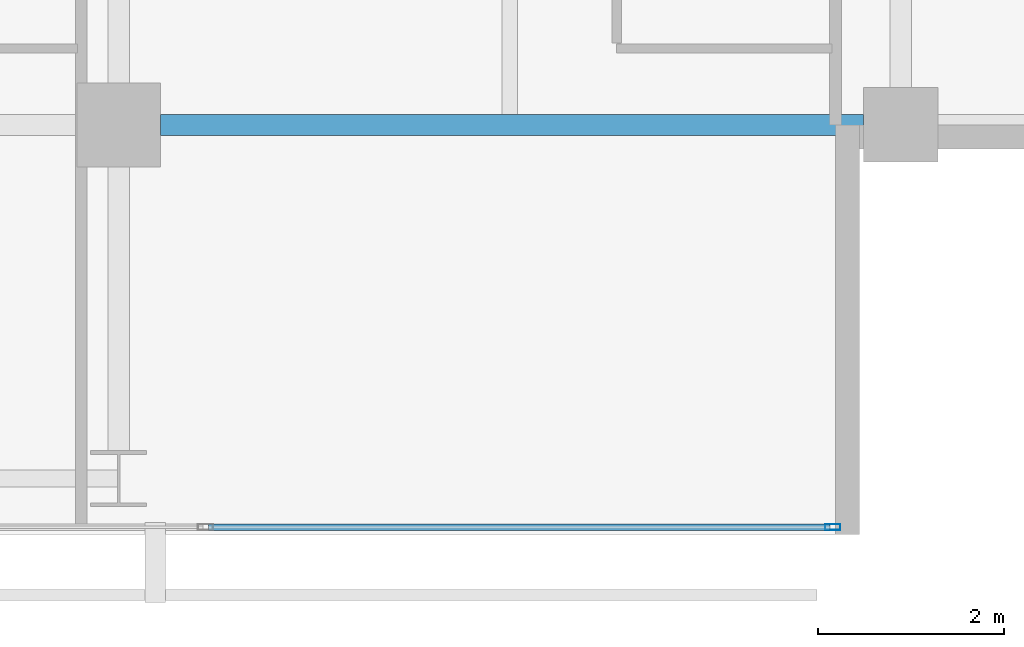
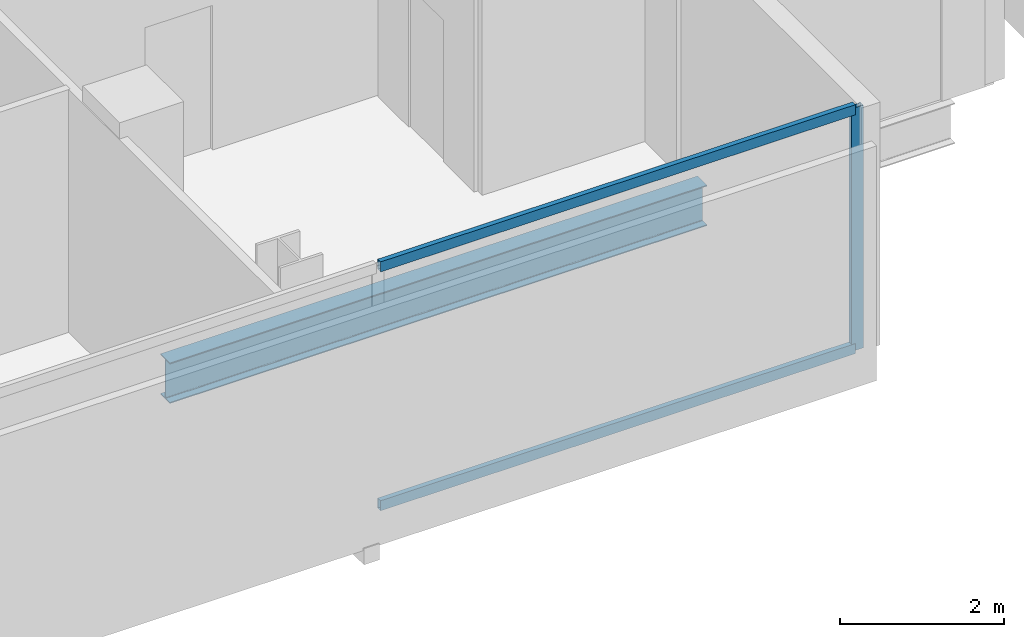
# One storey, part 13 of 34: 3 members, 1 beam, 1 element without a shape of its own.
"""IFC4 building model written with IfcOpenShell, lengths in metres."""

from ifc_helpers import new_model, si_unit, direction, frame, origin, origin_2d, place, context, subcontext, project, spatial, hollow_rectangle, i_section, extrude, material, layer, layer_set, material_profile, profile_set, type_object, element, aggregate, save


model = new_model("IFC4")

# Units and contexts
model_context = context("Model", 3, precision=1e-05, world=origin(), true_north=direction((0.0, 1.0)))
body_context = subcontext(model_context, "Body", "Model", "MODEL_VIEW")
ifc_project = project(units=[si_unit("LENGTHUNIT", "METRE"), si_unit("AREAUNIT", "SQUARE_METRE"), si_unit("VOLUMEUNIT", "CUBIC_METRE"), si_unit("PLANEANGLEUNIT", "RADIAN"), si_unit("MASSUNIT", "GRAM", prefix="KILO")], contexts=[model_context])

# Site, building, storey
site_placement = place(None, origin())
site = spatial("IfcSite", under=ifc_project, at=site_placement, CompositionType="ELEMENT")
building_placement = place(site_placement, origin())
building = spatial("IfcBuilding", under=site, at=building_placement, Name="Maruvema Waterfront Hotel and Observation Tower", CompositionType="ELEMENT")
storey_placement = place(building_placement, frame((0.0, 0.0, 177.449951171875)))
storey = spatial("IfcBuildingStorey", under=building, at=storey_placement, Name="L43", CompositionType="ELEMENT", Elevation=177.449951171875)

# Curtain wall, members
ifc_material_1 = material(Name="Anodised bronze aluminium and solar-control low-E IGU", Category="aluminium")
ifc_layer = layer(ifc_material_1, 0.159912109375, Name="Zone 2 Amber Inner Thermal Curtain Wall System CW-03")
ifc_layer_set = layer_set([ifc_layer], Name="Anodised bronze aluminium and solar-control low-E IGU")
curtain_wall_type = type_object("IfcCurtainWallType", Name="Zone 2 Amber Inner Thermal Curtain Wall System CW-03", PredefinedType="USERDEFINED", material=ifc_layer_set)
curtain_wall_placement = place(storey_placement, origin())
curtain_wall = element("IfcCurtainWall", 1, at=curtain_wall_placement, inside=storey, type_object=curtain_wall_type, Name="L43 Curtain Wall CW-L43-S", ObjectType="UNITISED CURTAIN WALL", PredefinedType="USERDEFINED")
ifc_material_2 = material(Name="Anodised architectural bronze aluminium", Category="aluminium")
ifc_material_profile_1 = material_profile(ifc_material_2, hollow_rectangle(XDim=0.070068359375, YDim=0.14990234375, WallThickness=0.00390625, at=origin_2d()), Name="ALU-T70x150")
ifc_profile_set_1 = profile_set([ifc_material_profile_1], Name="Anodised architectural bronze aluminium")
member_type_1 = type_object("IfcMemberType", Name="Curtain Wall Horizontal Transom ALU-T70x150", PredefinedType="USERDEFINED", material=ifc_profile_set_1)
member_1_placement = place(storey_placement, frame((51.36328125, 4.679931640625, 0.030029296875), z_axis=(1.0, 0.0, 0.0), x_axis=(0.0, 1.0, 0.0)))
member_1 = element("IfcMember", 2, at=member_1_placement, type_object=member_type_1, Name="CW-03 transom 6.1", ObjectType="TRANSOM", PredefinedType="USERDEFINED", context=body_context, shape_type="SweptSolid", body=[
    extrude(hollow_rectangle(XDim=0.070068359375, YDim=0.14990234375, WallThickness=0.00390625, at=origin_2d()), origin(), (0.0, 0.0, 1.0), 6.6767578125),
])
member_2_placement = place(storey_placement, frame((51.36328125, 4.679931640625, 3.580078125), z_axis=(1.0, 0.0, 0.0), x_axis=(0.0, 1.0, 0.0)))
member_2 = element("IfcMember", 3, at=member_2_placement, type_object=member_type_1, Name="CW-03 transom 6.2", ObjectType="TRANSOM", PredefinedType="USERDEFINED", context=body_context, shape_type="SweptSolid", body=[
    extrude(hollow_rectangle(XDim=0.070068359375, YDim=0.14990234375, WallThickness=0.00390625, at=origin_2d()), origin(), (0.0, 0.0, 1.0), 6.6767578125),
])
ifc_material_3 = material(Name="Anodised architectural bronze aluminium", Category="aluminium")
ifc_material_profile_2 = material_profile(ifc_material_3, hollow_rectangle(XDim=0.06494140625, YDim=0.1650390625, WallThickness=0.00390625, at=origin_2d()), Name="ALU-M65x165")
ifc_profile_set_2 = profile_set([ifc_material_profile_2], Name="Anodised architectural bronze aluminium")
member_type_2 = type_object("IfcMemberType", Name="Curtain Wall Primary Mullion ALU-M65x165", PredefinedType="MULLION", material=ifc_profile_set_2)
member_3_placement = place(storey_placement, frame((58.070068359375, 4.679931640625, 0.0), z_axis=(0.0, 0.0, 1.0), x_axis=(0.0, 1.0, 0.0)))
member_3 = element("IfcMember", 4, at=member_3_placement, type_object=member_type_2, Name="CW-03 mullion 7", PredefinedType="MULLION", context=body_context, shape_type="SweptSolid", body=[
    extrude(hollow_rectangle(XDim=0.06494140625, YDim=0.1650390625, WallThickness=0.00390625, at=origin_2d()), origin(), (0.0, 0.0, 1.0), 3.610107421875),
])
aggregate(curtain_wall, [member_3, member_1, member_2])

# Beam
ifc_material_4 = material(Name="Steel ASTM A572 Grade 50", Category="steel")
ifc_material_profile_3 = material_profile(ifc_material_4, i_section(OverallWidth=0.22802734375, OverallDepth=0.60302734375, WebThickness=0.010498046875, FlangeThickness=0.014892578125, FilletRadius=0.01806640625, at=origin_2d()), Name="W610x101.0")
ifc_profile_set_3 = profile_set([ifc_material_profile_3], Name="Steel ASTM A572 Grade 50")
beam_type = type_object("IfcBeamType", Name="Primary Floor Girder W610x101.0", PredefinedType="BEAM", material=ifc_profile_set_3)
beam_placement = place(storey_placement, frame((50.85009765625, 9.0, -0.54150390625), z_axis=(1.0, 0.0, 0.0), x_axis=(0.0, 1.0, 0.0)))
element("IfcBeam", 5, at=beam_placement, inside=storey, type_object=beam_type, Name="L43 Floor Girder EW-09", PredefinedType="BEAM", context=body_context, shape_type="SweptSolid", body=[
    extrude(i_section(OverallWidth=0.22802734375, OverallDepth=0.60302734375, WebThickness=0.010498046875, FlangeThickness=0.014892578125, FilletRadius=0.01806640625, at=origin_2d()), origin(), (0.0, 0.0, 1.0), 7.5498046875),
])

save(model, "model.ifc")
